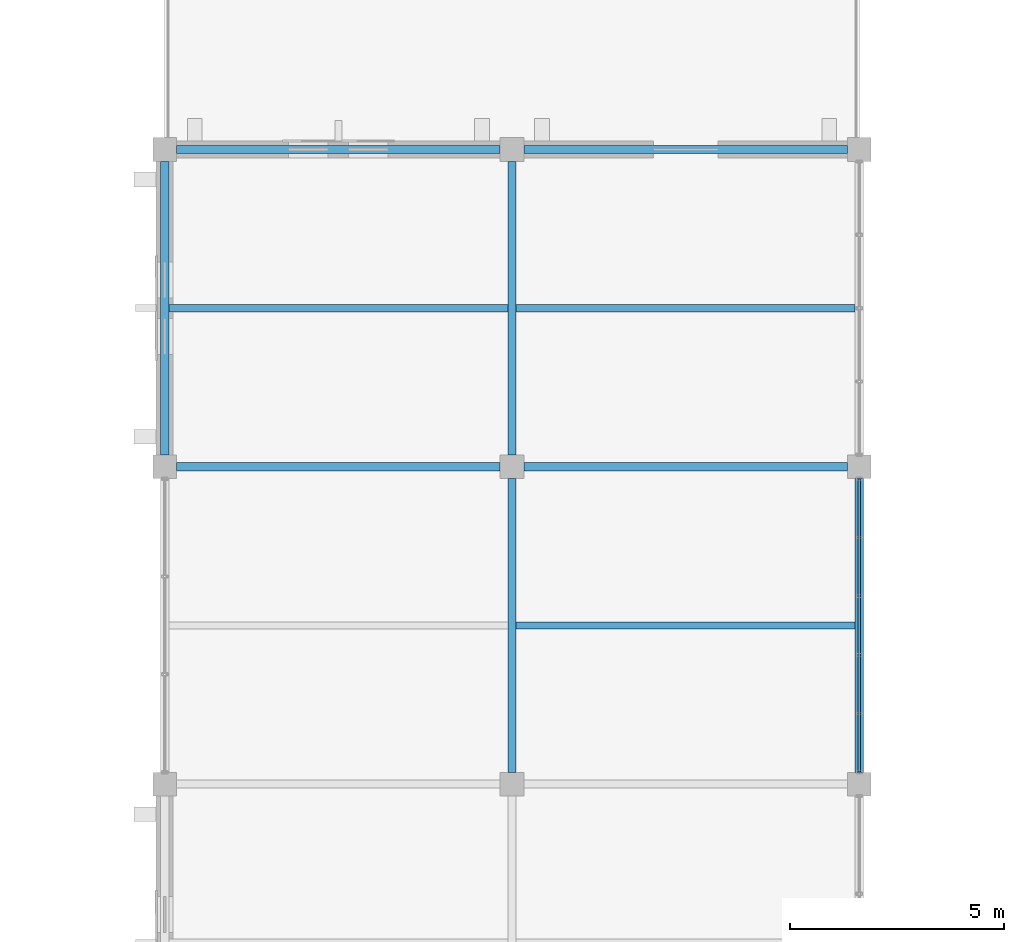
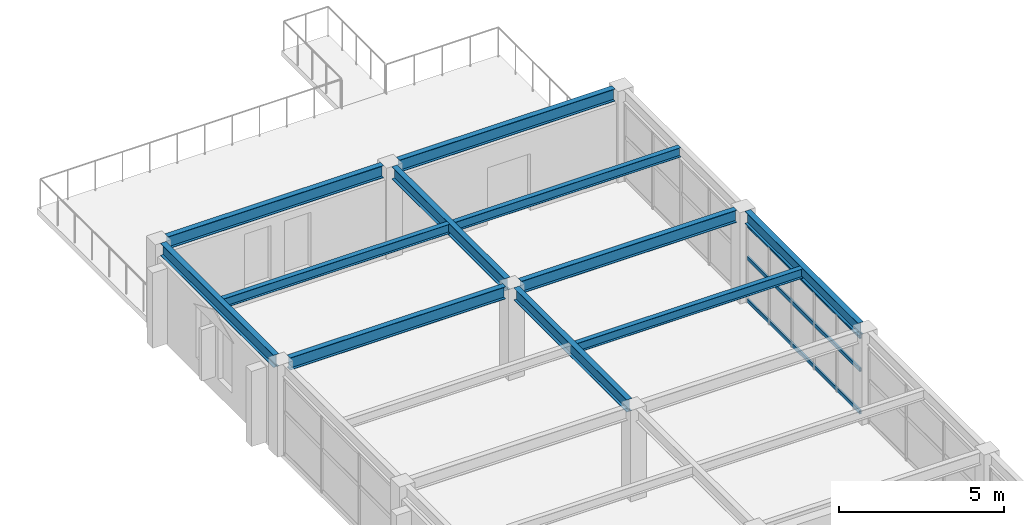
# One storey, part 26 of 93: 11 beams, 3 members, 1 element without a shape of its own.
"""IFC4 building model written with IfcOpenShell, lengths in metres."""

import ifcopenshell
import ifcopenshell.guid

model = None  # the IFC model being written
_history = None  # IfcOwnerHistory: only IFC2X3 demands one
_inside = {}  # id of a spatial element -> (the spatial element, [elements in it])
_under = {}  # id of a project, library or spatial element -> (it, [spatial elements below it])
_declared = {}  # id of a project -> (the project, [libraries it declares])
_typed = {}  # id of a type object -> (the type object, [elements of that type])
_made_of = {}  # id of a material, layer set ... -> (it, [elements and type objects made of it])


def new_model(schema):
    """Start an empty IFC model of exactly this schema.

    Asked for "IFC4X3", IfcOpenShell would pick the latest addendum, in which some entities
    have other attributes; the version numbers below select the first issue.
    IFC2X3 requires an IfcOwnerHistory on every rooted entity: one is made here for all.
    """
    global model, _history
    if schema == "IFC4X3":
        model = ifcopenshell.file(schema_version=(4, 3, 0, 0))
    else:
        model = ifcopenshell.file(schema=schema)
    _inside.clear()
    _under.clear()
    _declared.clear()
    _typed.clear()
    _made_of.clear()
    _history = None
    if model.schema == "IFC2X3":
        org = make("IfcOrganization", Name="unknown")
        user = make(
            "IfcPersonAndOrganization",
            ThePerson=make("IfcPerson", FamilyName="unknown"),
            TheOrganization=org,
        )
        app = make(
            "IfcApplication",
            ApplicationDeveloper=org,
            Version="unknown",
            ApplicationFullName="unknown",
            ApplicationIdentifier="unknown",
        )
        _history = make(
            "IfcOwnerHistory",
            OwningUser=user,
            OwningApplication=app,
            ChangeAction="ADDED",
            CreationDate=0,
        )
    return model


def make(cls, **values):
    """One entity of the class cls with the attributes given. An attribute that is None is left unset."""
    return model.create_entity(
        cls, **{name: value for name, value in values.items() if value is not None}
    )


def rooted(cls, **values):
    """An entity with a GlobalId (a new one), such as an element, a storey or a relation."""
    return make(cls, GlobalId=ifcopenshell.guid.new(), OwnerHistory=_history, **values)


def si_unit(unit_type, name, prefix=None):
    """IfcSIUnit, for example si_unit("LENGTHUNIT", "METRE", prefix="MILLI")."""
    return make("IfcSIUnit", UnitType=unit_type, Prefix=prefix, Name=name)


def assignment(units):
    """IfcUnitAssignment: the units of a project."""
    return None if units is None else make("IfcUnitAssignment", Units=units)


def point(xyz):
    """IfcCartesianPoint."""
    return None if xyz is None else make("IfcCartesianPoint", Coordinates=xyz)


def direction(xyz):
    """IfcDirection."""
    return None if xyz is None else make("IfcDirection", DirectionRatios=xyz)


def frame(location, z_axis=None, x_axis=None):
    """IfcAxis2Placement3D, a coordinate frame: its origin and axes. An axis left out is left unset."""
    return make(
        "IfcAxis2Placement3D",
        Location=point(location),
        Axis=direction(z_axis),
        RefDirection=direction(x_axis),
    )


def frame_2d(location, x_axis=None):
    """IfcAxis2Placement2D, a coordinate frame in the plane: its origin and x axis."""
    return make(
        "IfcAxis2Placement2D", Location=point(location), RefDirection=direction(x_axis)
    )


def origin():
    """The frame at (0, 0, 0) with its axes left unset."""
    return frame((0.0, 0.0, 0.0))


def origin_2d():
    """The frame at (0, 0) in the plane with its x axis left unset."""
    return frame_2d((0.0, 0.0))


def place(relative_to, where):
    """IfcLocalPlacement: puts the frame where relative to a parent placement (None: the world)."""
    return make(
        "IfcLocalPlacement", PlacementRelTo=relative_to, RelativePlacement=where
    )


def context(
    kind, dimensions, precision=None, world=None, true_north=None, identifier=None
):
    """IfcGeometricRepresentationContext, for example the 3D "Model" context."""
    return make(
        "IfcGeometricRepresentationContext",
        ContextIdentifier=identifier,
        ContextType=kind,
        CoordinateSpaceDimension=dimensions,
        Precision=precision,
        WorldCoordinateSystem=world,
        TrueNorth=true_north,
    )


def subcontext(parent, identifier, kind, view, scale=None):
    """IfcGeometricRepresentationSubContext, for example "Body" below "Model"."""
    return make(
        "IfcGeometricRepresentationSubContext",
        ContextIdentifier=identifier,
        ContextType=kind,
        ParentContext=parent,
        TargetScale=scale,
        TargetView=view,
    )


def project(units=None, contexts=None):
    """IfcProject with its units and contexts."""
    return rooted(
        "IfcProject",
        Name="project",
        RepresentationContexts=contexts,
        UnitsInContext=assignment(units),
    )


def spatial(cls, under=None, at=None, **own):
    """A site, building, storey or space (cls), placed at a placement, below another one or the project."""
    s = rooted(cls, ObjectPlacement=at, **own)
    if under is not None:
        _under.setdefault(under.id(), (under, []))[1].append(s)
    return s


def profile(cls, at=None, kind="AREA", **sizes):
    """A parametric profile (cls). Its sizes go by their IFC names, for example OverallWidth=200.0."""
    return make(cls, ProfileType=kind, Position=at, **sizes)


def hollow_rectangle(**sizes):
    """IfcRectangleHollowProfileDef."""
    return profile("IfcRectangleHollowProfileDef", **sizes)


def i_section(**sizes):
    """IfcIShapeProfileDef."""
    return profile("IfcIShapeProfileDef", **sizes)


def extrude(swept, where, along, depth):
    """IfcExtrudedAreaSolid: the profile swept, set in the frame where, extruded along a direction by depth."""
    return make(
        "IfcExtrudedAreaSolid",
        SweptArea=swept,
        Position=where,
        ExtrudedDirection=direction(along),
        Depth=depth,
    )


def shape(context_of_items, identifier, shape_type, items):
    """IfcShapeRepresentation: the items that make up one representation, for example the "Body"."""
    return make(
        "IfcShapeRepresentation",
        ContextOfItems=context_of_items,
        RepresentationIdentifier=identifier,
        RepresentationType=shape_type,
        Items=items,
    )


def material(Name=None, Category=None):
    """IfcMaterial."""
    return make("IfcMaterial", Name=Name, Category=Category)


def material_profile(
    of_material, cross_section, Name=None, Category=None, Priority=None
):
    """IfcMaterialProfile: a cross section and its material."""
    return make(
        "IfcMaterialProfile",
        Name=Name,
        Material=of_material,
        Profile=cross_section,
        Priority=Priority,
        Category=Category,
    )


def profile_set(profiles, Name=None, composite=None):
    """IfcMaterialProfileSet."""
    return make(
        "IfcMaterialProfileSet",
        Name=Name,
        MaterialProfiles=profiles,
        CompositeProfile=composite,
    )


def made_of(thing, what):
    """Note that an element or type object is made of a material, layer set ...; save() writes the relation."""
    if what is not None:
        _made_of.setdefault(what.id(), (what, []))[1].append(thing)
    return thing


def type_object(cls, material=None, **own):
    """A type object (cls), such as IfcWallType, which elements share."""
    return made_of(rooted(cls, **own), material)


def element(
    cls,
    number,
    at=None,
    inside=None,
    cuts=None,
    type_object=None,
    material=None,
    context=None,
    identifier="Body",
    shape_type=None,
    held_by="IfcProductDefinitionShape",
    body=None,
    shapes=None,
    **own,
):
    """One element of the class cls, such as IfcWall. Its Tag is "e" and its number.

    at: its placement. inside: the storey or other place that contains it. cuts: it is an
    opening in that element (IfcRelVoidsElement). A single representation is given by context,
    identifier, shape_type and body (its items); several are given by shapes. held_by: the class
    of the entity that holds the representations. save() writes the other relations.
    """
    e = rooted(cls, Tag="e%d" % number, ObjectPlacement=at, **own)
    if body is not None:
        shapes = [shape(context, identifier, shape_type, body)]
    if shapes is not None:
        e.Representation = make(held_by, Representations=shapes)
    if inside is not None:
        _inside.setdefault(inside.id(), (inside, []))[1].append(e)
    if cuts is not None:
        rooted(
            "IfcRelVoidsElement", RelatingBuildingElement=cuts, RelatedOpeningElement=e
        )
    if type_object is not None:
        _typed.setdefault(type_object.id(), (type_object, []))[1].append(e)
    return made_of(e, material)


def aggregate(whole, parts):
    """IfcRelAggregates: a whole, such as a stair, and the parts it consists of."""
    return rooted("IfcRelAggregates", RelatingObject=whole, RelatedObjects=parts)


def save(model, path):
    """Write the relations noted so far, then the file.

    IfcRelAggregates (storeys below a building ...), IfcRelContainedInSpatialStructure (elements
    in a storey), IfcRelDefinesByType, IfcRelAssociatesMaterial and IfcRelDeclares: one each for
    every whole, place, type object, material and project.
    """
    for whole, parts in _under.values():
        aggregate(whole, parts)
    for where, things in _inside.values():
        rooted(
            "IfcRelContainedInSpatialStructure",
            RelatedElements=things,
            RelatingStructure=where,
        )
    for kind, things in _typed.values():
        rooted("IfcRelDefinesByType", RelatedObjects=things, RelatingType=kind)
    for what, things in _made_of.values():
        rooted("IfcRelAssociatesMaterial", RelatedObjects=things, RelatingMaterial=what)
    for by, libraries in _declared.values():
        rooted("IfcRelDeclares", RelatingContext=by, RelatedDefinitions=libraries)
    model.write(path)


model = new_model("IFC4")

# Units and contexts
model_context = context("Model", 3, precision=1e-05, world=origin(), true_north=direction((0.0, 1.0)))
body_context = subcontext(model_context, "Body", "Model", "MODEL_VIEW")
ifc_project = project(units=[si_unit("LENGTHUNIT", "METRE"), si_unit("AREAUNIT", "SQUARE_METRE"), si_unit("VOLUMEUNIT", "CUBIC_METRE"), si_unit("PLANEANGLEUNIT", "RADIAN"), si_unit("MASSUNIT", "GRAM", prefix="KILO")], contexts=[model_context])

# Site, building, storey
site_placement = place(None, origin())
site = spatial("IfcSite", under=ifc_project, at=site_placement, CompositionType="ELEMENT")
building_placement = place(site_placement, origin())
building = spatial("IfcBuilding", under=site, at=building_placement, Name="Cimatlan Art Gallery", CompositionType="ELEMENT")
storey_placement = place(building_placement, frame((0.0, 0.0, 13.800048828125)))
storey = spatial("IfcBuildingStorey", under=building, at=storey_placement, Name="L03", CompositionType="ELEMENT", Elevation=13.800048828125)

# Beams
ifc_material_1 = material(Name="Steel ASTM A992 Grade 50", Category="steel")
ifc_material_profile_1 = material_profile(ifc_material_1, i_section(OverallWidth=0.1708984375, OverallDepth=0.35107421875, WebThickness=0.0068359375, FlangeThickness=0.009765625, at=origin_2d()), Name="W14X30")
ifc_profile_set_1 = profile_set([ifc_material_profile_1], Name="Steel ASTM A992 Grade 50")
beam_type_1 = type_object("IfcBeamType", Name="BM-STL-W14X30", PredefinedType="JOIST", material=ifc_profile_set_1)
for number, where, z_axis, x_axis, name in (
    (1, (34.49560546875, 79.39990234375, 3.204345703125), (1.0, 0.0, 0.0), (0.0, 1.0, 0.0), "JST-L03-04-10"),
    (2, (42.595458984375, 72.0, 3.204345703125), (1.0, 0.0, 0.0), (0.0, 1.0, 0.0), "JST-L03-05-09"),
    (3, (42.595458984375, 79.39990234375, 3.204345703125), (1.0, 0.0, 0.0), (0.0, 1.0, 0.0), "JST-L03-05-10"),
):
    element("IfcBeam", number, at=place(storey_placement, frame(where, z_axis=z_axis, x_axis=x_axis)), inside=storey, type_object=beam_type_1, Name=name, PredefinedType="JOIST", context=body_context, shape_type="SweptSolid", body=[
        extrude(i_section(OverallWidth=0.1708984375, OverallDepth=0.35107421875, WebThickness=0.0068359375, FlangeThickness=0.009765625, at=origin_2d()), origin(), (0.0, 0.0, 1.0), 7.908935546875),
    ])
ifc_material_profile_2 = material_profile(ifc_material_1, i_section(OverallWidth=0.19091796875, OverallDepth=0.45703125, WebThickness=0.009033203125, FlangeThickness=0.014404296875, at=origin_2d()), Name="W18X50")
ifc_profile_set_2 = profile_set([ifc_material_profile_2], Name="Steel ASTM A992 Grade 50")
beam_type_2 = type_object("IfcBeamType", Name="BM-STL-W18X50", PredefinedType="BEAM", material=ifc_profile_set_2)
beam_1_placement = place(storey_placement, frame((34.39990234375, 75.97509765625, 3.1513671875), z_axis=(0.0, 1.0, 0.0), x_axis=(-1.0, 0.0, 0.0)))
element("IfcBeam", 4, at=beam_1_placement, inside=storey, type_object=beam_type_2, Name="BM-Y-L03-04-10", PredefinedType="BEAM", context=body_context, shape_type="SweptSolid", body=[
    extrude(i_section(OverallWidth=0.19091796875, OverallDepth=0.45703125, WebThickness=0.009033203125, FlangeThickness=0.014404296875, at=origin_2d()), origin(), (0.0, 0.0, 1.0), 6.849853515625),
])
beam_2_placement = place(storey_placement, frame((42.5, 68.574951171875, 3.1513671875), z_axis=(0.0, 1.0, 0.0), x_axis=(-1.0, 0.0, 0.0)))
element("IfcBeam", 5, at=beam_2_placement, inside=storey, type_object=beam_type_2, Name="BM-Y-L03-05-09", PredefinedType="BEAM", context=body_context, shape_type="SweptSolid", body=[
    extrude(i_section(OverallWidth=0.19091796875, OverallDepth=0.45703125, WebThickness=0.009033203125, FlangeThickness=0.014404296875, at=origin_2d()), origin(), (0.0, 0.0, 1.0), 6.85009765625),
])
beam_3_placement = place(storey_placement, frame((42.5, 75.97509765625, 3.1513671875), z_axis=(0.0, 1.0, 0.0), x_axis=(-1.0, 0.0, 0.0)))
element("IfcBeam", 6, at=beam_3_placement, inside=storey, type_object=beam_type_2, Name="BM-Y-L03-05-10", PredefinedType="BEAM", context=body_context, shape_type="SweptSolid", body=[
    extrude(i_section(OverallWidth=0.19091796875, OverallDepth=0.45703125, WebThickness=0.009033203125, FlangeThickness=0.014404296875, at=origin_2d()), origin(), (0.0, 0.0, 1.0), 6.849853515625),
])
beam_4_placement = place(storey_placement, frame((50.60009765625, 68.574951171875, 3.1513671875), z_axis=(0.0, 1.0, 0.0), x_axis=(-1.0, 0.0, 0.0)))
element("IfcBeam", 7, at=beam_4_placement, inside=storey, type_object=beam_type_2, Name="BM-Y-L03-06-09", PredefinedType="BEAM", context=body_context, shape_type="SweptSolid", body=[
    extrude(i_section(OverallWidth=0.19091796875, OverallDepth=0.45703125, WebThickness=0.009033203125, FlangeThickness=0.014404296875, at=origin_2d()), origin(), (0.0, 0.0, 1.0), 6.85009765625),
])
for number, where, z_axis, x_axis, name in (
    (8, (34.675048828125, 75.699951171875, 3.1513671875), (1.0, 0.0, 0.0), (0.0, 1.0, 0.0), "BM-X-L03-04-10"),
    (9, (34.675048828125, 83.10009765625, 3.1513671875), (1.0, 0.0, 0.0), (0.0, 1.0, 0.0), "BM-X-L03-04-11"),
    (10, (42.77490234375, 75.699951171875, 3.1513671875), (1.0, 0.0, 0.0), (0.0, 1.0, 0.0), "BM-X-L03-05-10"),
    (11, (42.77490234375, 83.10009765625, 3.1513671875), (1.0, 0.0, 0.0), (0.0, 1.0, 0.0), "BM-X-L03-05-11"),
):
    element("IfcBeam", number, at=place(storey_placement, frame(where, z_axis=z_axis, x_axis=x_axis)), inside=storey, type_object=beam_type_2, Name=name, PredefinedType="BEAM", context=body_context, shape_type="SweptSolid", body=[
        extrude(i_section(OverallWidth=0.19091796875, OverallDepth=0.45703125, WebThickness=0.009033203125, FlangeThickness=0.014404296875, at=origin_2d()), origin(), (0.0, 0.0, 1.0), 7.550048828125),
    ])

# Curtain wall, members
ifc_material_2 = material(Name="Anodised bronze unitised curtain wall")
curtain_wall_type = type_object("IfcCurtainWallType", Name="CW-V-06842X02908-B5", PredefinedType="NOTDEFINED", material=ifc_material_2)
curtain_wall_placement = place(storey_placement, origin())
curtain_wall = element("IfcCurtainWall", 12, at=curtain_wall_placement, inside=storey, type_object=curtain_wall_type, Name="CW-L03-05-09-E", PredefinedType="NOTDEFINED")
ifc_material_3 = material(Name="Anodised bronze aluminium 6063-T6", Category="aluminium")
ifc_material_profile_3 = material_profile(ifc_material_3, hollow_rectangle(XDim=0.06494140625, YDim=0.139892578125, WallThickness=0.00390625, at=origin_2d()), Name="ALU65X140X4")
ifc_profile_set_3 = profile_set([ifc_material_profile_3], Name="Anodised bronze aluminium 6063-T6")
member_type = type_object("IfcMemberType", Name="CW-TRN-140", PredefinedType="USERDEFINED", material=ifc_profile_set_3)
member_1_placement = place(storey_placement, frame((50.60009765625, 75.4208984375, 0.06005859375), z_axis=(0.0, -1.0, 0.0), x_axis=(1.0, 0.0, 0.0)))
member_1 = element("IfcMember", 13, at=member_1_placement, type_object=member_type, Name="CW-L03-05-09-E-T1", ObjectType="TRANSOM", PredefinedType="USERDEFINED", context=body_context, shape_type="SweptSolid", body=[
    extrude(hollow_rectangle(XDim=0.06494140625, YDim=0.139892578125, WallThickness=0.00390625, at=origin_2d()), origin(), (0.0, 0.0, 1.0), 6.841796875),
])
member_2_placement = place(storey_placement, frame((50.60009765625, 75.4208984375, 1.62841796875), z_axis=(0.0, -1.0, 0.0), x_axis=(1.0, 0.0, 0.0)))
member_2 = element("IfcMember", 14, at=member_2_placement, type_object=member_type, Name="CW-L03-05-09-E-T2", ObjectType="TRANSOM", PredefinedType="USERDEFINED", context=body_context, shape_type="SweptSolid", body=[
    extrude(hollow_rectangle(XDim=0.06494140625, YDim=0.139892578125, WallThickness=0.00390625, at=origin_2d()), origin(), (0.0, 0.0, 1.0), 6.841796875),
])
member_3_placement = place(storey_placement, frame((50.60009765625, 75.4208984375, 2.847900390625), z_axis=(0.0, -1.0, 0.0), x_axis=(1.0, 0.0, 0.0)))
member_3 = element("IfcMember", 15, at=member_3_placement, type_object=member_type, Name="CW-L03-05-09-E-T3", ObjectType="TRANSOM", PredefinedType="USERDEFINED", context=body_context, shape_type="SweptSolid", body=[
    extrude(hollow_rectangle(XDim=0.06494140625, YDim=0.139892578125, WallThickness=0.00390625, at=origin_2d()), origin(), (0.0, 0.0, 1.0), 6.841796875),
])
aggregate(curtain_wall, [member_1, member_2, member_3])

save(model, "model.ifc")
